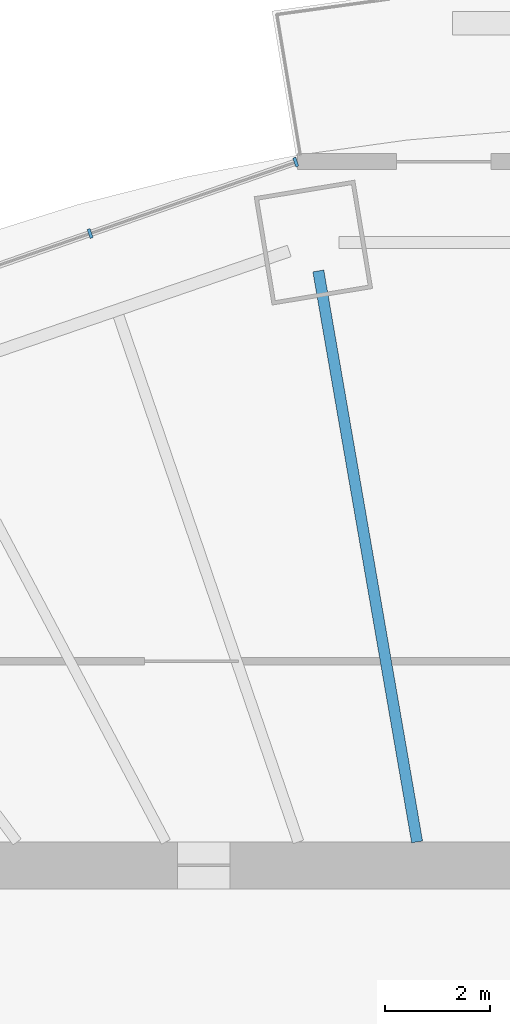
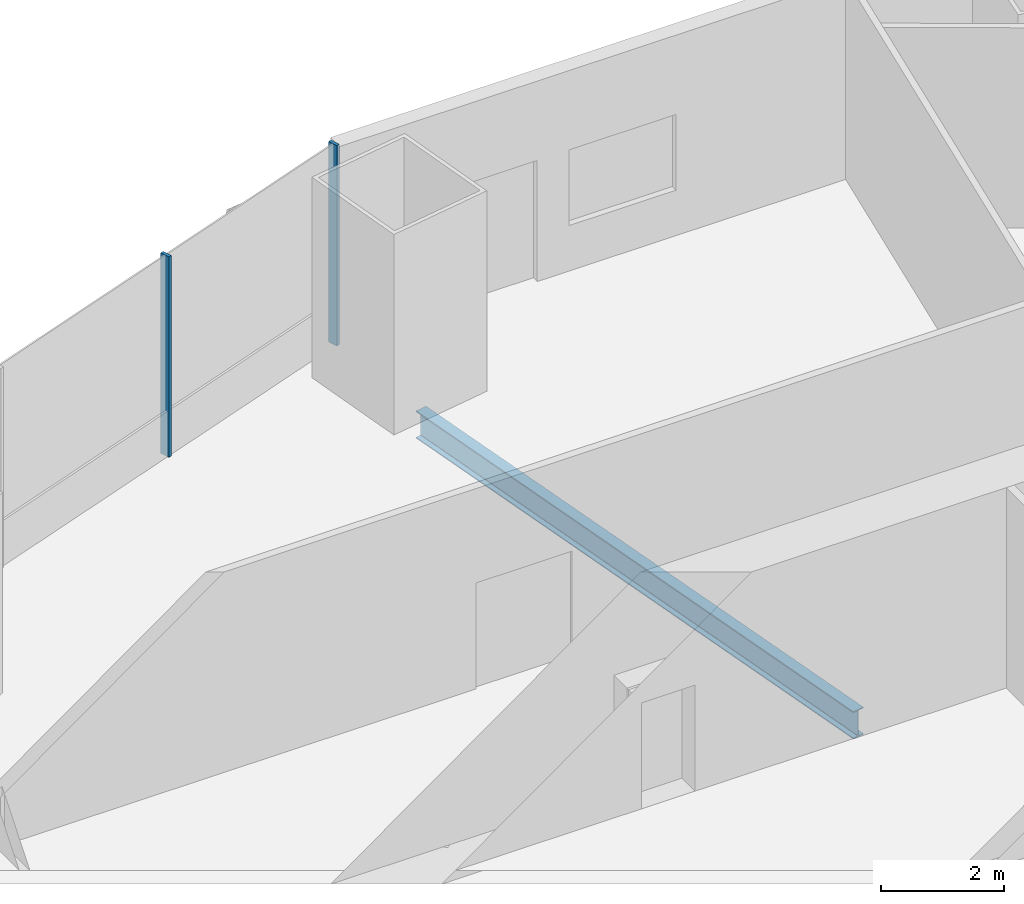
# One storey, part 7 of 21: 2 members, 1 beam, 1 element without a shape of its own.
"""IFC4 building model written with IfcOpenShell, lengths in metres."""

from ifc_helpers import new_model, si_unit, direction, frame, origin, origin_2d, place, context, subcontext, project, spatial, rectangle, i_section, extrude, material, material_profile, profile_set, type_object, element, aggregate, save


model = new_model("IFC4")

# Units and contexts
model_context = context("Model", 3, precision=1e-05, world=origin(), true_north=direction((0.0, 1.0)))
body_context = subcontext(model_context, "Body", "Model", "MODEL_VIEW")
ifc_project = project(units=[si_unit("LENGTHUNIT", "METRE"), si_unit("AREAUNIT", "SQUARE_METRE"), si_unit("VOLUMEUNIT", "CUBIC_METRE"), si_unit("PLANEANGLEUNIT", "RADIAN"), si_unit("MASSUNIT", "GRAM", prefix="KILO")], contexts=[model_context])

# Site, building, storey
site_placement = place(None, origin())
site = spatial("IfcSite", under=ifc_project, at=site_placement, CompositionType="ELEMENT")
building_placement = place(site_placement, origin())
building = spatial("IfcBuilding", under=site, at=building_placement, Name="Marenthal Gate Tower", CompositionType="ELEMENT")
storey_placement = place(building_placement, frame((0.0, 0.0, 169.35009765625)))
storey = spatial("IfcBuildingStorey", under=building, at=storey_placement, Name="L36", CompositionType="ELEMENT", Elevation=169.35009765625)

# Curtain wall, members
ifc_material_1 = material(Name="Aluminium and glass", Category="aluminium")
curtain_wall_type = type_object("IfcCurtainWallType", Name="Curtain wall typical mid", PredefinedType="NOTDEFINED", material=ifc_material_1)
curtain_wall_placement = place(storey_placement, origin())
curtain_wall = element("IfcCurtainWall", 1, at=curtain_wall_placement, inside=storey, type_object=curtain_wall_type, Name="Curtain wall L36 bay 5", PredefinedType="NOTDEFINED")
ifc_material_2 = material(Name="Aluminium", Category="aluminium")
ifc_material_profile_1 = material_profile(ifc_material_2, rectangle(XDim=0.179931640625, YDim=0.06005859375, at=origin_2d()), Name="60x180 aluminium mullion")
ifc_profile_set_1 = profile_set([ifc_material_profile_1], Name="Aluminium")
member_type = type_object("IfcMemberType", Name="Mullion 60x180 typical mid", PredefinedType="MULLION", material=ifc_profile_set_1)
member_1_placement = place(storey_placement, frame((-4.646728515625, 26.451904296875, 0.0), z_axis=(0.0, 0.0, 1.0), x_axis=(0.328157600538, -0.944622987868, 0.0)))
member_1 = element("IfcMember", 2, at=member_1_placement, type_object=member_type, Name="Mullion L36 bay 5.1", PredefinedType="MULLION", context=body_context, shape_type="SweptSolid", body=[
    extrude(rectangle(XDim=0.179931640625, YDim=0.06005859375, at=origin_2d()), origin(), (0.0, 0.0, 1.0), 3.969970703125),
])
member_2_placement = place(storey_placement, frame((-8.580810546875, 25.085205078125, 0.0), z_axis=(0.0, 0.0, 1.0), x_axis=(0.328157600538, -0.944622987868, 0.0)))
member_2 = element("IfcMember", 3, at=member_2_placement, type_object=member_type, Name="Mullion L36 bay 5.2", PredefinedType="MULLION", context=body_context, shape_type="SweptSolid", body=[
    extrude(rectangle(XDim=0.179931640625, YDim=0.06005859375, at=origin_2d()), origin(), (0.0, 0.0, 1.0), 3.969970703125),
])
aggregate(curtain_wall, [member_1, member_2])

# Beam
ifc_material_3 = material(Name="Steel S355", Category="steel")
ifc_material_profile_2 = material_profile(ifc_material_3, i_section(OverallWidth=0.2119140625, OverallDepth=0.5439453125, WebThickness=0.01318359375, FlangeThickness=0.021240234375, FilletRadius=0.0126953125, at=origin_2d()), Name="W530X123")
ifc_profile_set_2 = profile_set([ifc_material_profile_2], Name="Steel S355")
beam_type = type_object("IfcBeamType", Name="W530X123 beam", PredefinedType="BEAM", material=ifc_profile_set_2)
beam_placement = place(storey_placement, frame((-4.21630859375, 24.3701171875, -0.4521484375), z_axis=(0.170486727373, -0.985359972695, 0.0), x_axis=(0.985359972695, 0.170486727373, 0.0)))
element("IfcBeam", 4, at=beam_placement, inside=storey, type_object=beam_type, Name="BM-L36-05", PredefinedType="BEAM", context=body_context, shape_type="SweptSolid", body=[
    extrude(i_section(OverallWidth=0.2119140625, OverallDepth=0.5439453125, WebThickness=0.01318359375, FlangeThickness=0.021240234375, FilletRadius=0.0126953125, at=origin_2d()), origin(), (0.0, 0.0, 1.0), 11.08251953125),
])

save(model, "model.ifc")
